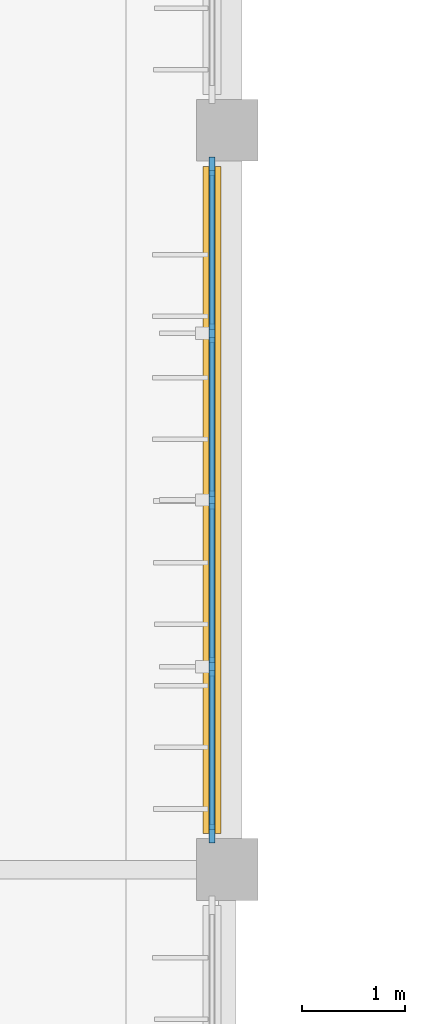
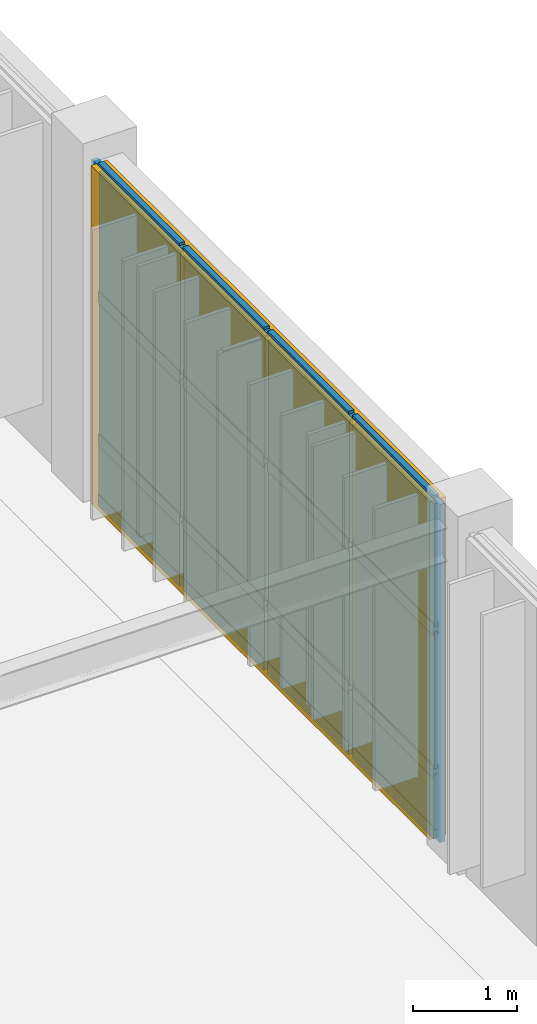
# One storey, part 68 of 104: 21 members, 12 plates, 1 curtain wall.
"""IFC4 building model written with IfcOpenShell, lengths in metres."""

import ifcopenshell
import ifcopenshell.guid

model = None  # the IFC model being written
_history = None  # IfcOwnerHistory: only IFC2X3 demands one
_inside = {}  # id of a spatial element -> (the spatial element, [elements in it])
_under = {}  # id of a project, library or spatial element -> (it, [spatial elements below it])
_declared = {}  # id of a project -> (the project, [libraries it declares])
_typed = {}  # id of a type object -> (the type object, [elements of that type])
_made_of = {}  # id of a material, layer set ... -> (it, [elements and type objects made of it])


def new_model(schema):
    """Start an empty IFC model of exactly this schema.

    Asked for "IFC4X3", IfcOpenShell would pick the latest addendum, in which some entities
    have other attributes; the version numbers below select the first issue.
    IFC2X3 requires an IfcOwnerHistory on every rooted entity: one is made here for all.
    """
    global model, _history
    if schema == "IFC4X3":
        model = ifcopenshell.file(schema_version=(4, 3, 0, 0))
    else:
        model = ifcopenshell.file(schema=schema)
    _inside.clear()
    _under.clear()
    _declared.clear()
    _typed.clear()
    _made_of.clear()
    _history = None
    if model.schema == "IFC2X3":
        org = make("IfcOrganization", Name="unknown")
        user = make(
            "IfcPersonAndOrganization",
            ThePerson=make("IfcPerson", FamilyName="unknown"),
            TheOrganization=org,
        )
        app = make(
            "IfcApplication",
            ApplicationDeveloper=org,
            Version="unknown",
            ApplicationFullName="unknown",
            ApplicationIdentifier="unknown",
        )
        _history = make(
            "IfcOwnerHistory",
            OwningUser=user,
            OwningApplication=app,
            ChangeAction="ADDED",
            CreationDate=0,
        )
    return model


def make(cls, **values):
    """One entity of the class cls with the attributes given. An attribute that is None is left unset."""
    return model.create_entity(
        cls, **{name: value for name, value in values.items() if value is not None}
    )


def rooted(cls, **values):
    """An entity with a GlobalId (a new one), such as an element, a storey or a relation."""
    return make(cls, GlobalId=ifcopenshell.guid.new(), OwnerHistory=_history, **values)


def si_unit(unit_type, name, prefix=None):
    """IfcSIUnit, for example si_unit("LENGTHUNIT", "METRE", prefix="MILLI")."""
    return make("IfcSIUnit", UnitType=unit_type, Prefix=prefix, Name=name)


def assignment(units):
    """IfcUnitAssignment: the units of a project."""
    return None if units is None else make("IfcUnitAssignment", Units=units)


def point(xyz):
    """IfcCartesianPoint."""
    return None if xyz is None else make("IfcCartesianPoint", Coordinates=xyz)


def direction(xyz):
    """IfcDirection."""
    return None if xyz is None else make("IfcDirection", DirectionRatios=xyz)


def frame(location, z_axis=None, x_axis=None):
    """IfcAxis2Placement3D, a coordinate frame: its origin and axes. An axis left out is left unset."""
    return make(
        "IfcAxis2Placement3D",
        Location=point(location),
        Axis=direction(z_axis),
        RefDirection=direction(x_axis),
    )


def frame_2d(location, x_axis=None):
    """IfcAxis2Placement2D, a coordinate frame in the plane: its origin and x axis."""
    return make(
        "IfcAxis2Placement2D", Location=point(location), RefDirection=direction(x_axis)
    )


def origin():
    """The frame at (0, 0, 0) with its axes left unset."""
    return frame((0.0, 0.0, 0.0))


def origin_2d():
    """The frame at (0, 0) in the plane with its x axis left unset."""
    return frame_2d((0.0, 0.0))


def place(relative_to, where):
    """IfcLocalPlacement: puts the frame where relative to a parent placement (None: the world)."""
    return make(
        "IfcLocalPlacement", PlacementRelTo=relative_to, RelativePlacement=where
    )


def context(
    kind, dimensions, precision=None, world=None, true_north=None, identifier=None
):
    """IfcGeometricRepresentationContext, for example the 3D "Model" context."""
    return make(
        "IfcGeometricRepresentationContext",
        ContextIdentifier=identifier,
        ContextType=kind,
        CoordinateSpaceDimension=dimensions,
        Precision=precision,
        WorldCoordinateSystem=world,
        TrueNorth=true_north,
    )


def subcontext(parent, identifier, kind, view, scale=None):
    """IfcGeometricRepresentationSubContext, for example "Body" below "Model"."""
    return make(
        "IfcGeometricRepresentationSubContext",
        ContextIdentifier=identifier,
        ContextType=kind,
        ParentContext=parent,
        TargetScale=scale,
        TargetView=view,
    )


def project(units=None, contexts=None):
    """IfcProject with its units and contexts."""
    return rooted(
        "IfcProject",
        Name="project",
        RepresentationContexts=contexts,
        UnitsInContext=assignment(units),
    )


def spatial(cls, under=None, at=None, **own):
    """A site, building, storey or space (cls), placed at a placement, below another one or the project."""
    s = rooted(cls, ObjectPlacement=at, **own)
    if under is not None:
        _under.setdefault(under.id(), (under, []))[1].append(s)
    return s


def profile(cls, at=None, kind="AREA", **sizes):
    """A parametric profile (cls). Its sizes go by their IFC names, for example OverallWidth=200.0."""
    return make(cls, ProfileType=kind, Position=at, **sizes)


def rectangle(**sizes):
    """IfcRectangleProfileDef."""
    return profile("IfcRectangleProfileDef", **sizes)


def extrude(swept, where, along, depth):
    """IfcExtrudedAreaSolid: the profile swept, set in the frame where, extruded along a direction by depth."""
    return make(
        "IfcExtrudedAreaSolid",
        SweptArea=swept,
        Position=where,
        ExtrudedDirection=direction(along),
        Depth=depth,
    )


def shape(context_of_items, identifier, shape_type, items):
    """IfcShapeRepresentation: the items that make up one representation, for example the "Body"."""
    return make(
        "IfcShapeRepresentation",
        ContextOfItems=context_of_items,
        RepresentationIdentifier=identifier,
        RepresentationType=shape_type,
        Items=items,
    )


def material(Name=None, Category=None):
    """IfcMaterial."""
    return make("IfcMaterial", Name=Name, Category=Category)


def layer(
    of_material, thickness, ventilated=None, Name=None, Category=None, Priority=None
):
    """IfcMaterialLayer: one layer of a wall or slab, of a material (None: an air gap)."""
    return make(
        "IfcMaterialLayer",
        Material=of_material,
        LayerThickness=thickness,
        IsVentilated=ventilated,
        Name=Name,
        Category=Category,
        Priority=Priority,
    )


def layer_set(layers, Name=None):
    """IfcMaterialLayerSet."""
    return make("IfcMaterialLayerSet", MaterialLayers=layers, LayerSetName=Name)


def material_profile(
    of_material, cross_section, Name=None, Category=None, Priority=None
):
    """IfcMaterialProfile: a cross section and its material."""
    return make(
        "IfcMaterialProfile",
        Name=Name,
        Material=of_material,
        Profile=cross_section,
        Priority=Priority,
        Category=Category,
    )


def profile_set(profiles, Name=None, composite=None):
    """IfcMaterialProfileSet."""
    return make(
        "IfcMaterialProfileSet",
        Name=Name,
        MaterialProfiles=profiles,
        CompositeProfile=composite,
    )


def made_of(thing, what):
    """Note that an element or type object is made of a material, layer set ...; save() writes the relation."""
    if what is not None:
        _made_of.setdefault(what.id(), (what, []))[1].append(thing)
    return thing


def type_object(cls, material=None, **own):
    """A type object (cls), such as IfcWallType, which elements share."""
    return made_of(rooted(cls, **own), material)


def element(
    cls,
    number,
    at=None,
    inside=None,
    cuts=None,
    type_object=None,
    material=None,
    context=None,
    identifier="Body",
    shape_type=None,
    held_by="IfcProductDefinitionShape",
    body=None,
    shapes=None,
    **own,
):
    """One element of the class cls, such as IfcWall. Its Tag is "e" and its number.

    at: its placement. inside: the storey or other place that contains it. cuts: it is an
    opening in that element (IfcRelVoidsElement). A single representation is given by context,
    identifier, shape_type and body (its items); several are given by shapes. held_by: the class
    of the entity that holds the representations. save() writes the other relations.
    """
    e = rooted(cls, Tag="e%d" % number, ObjectPlacement=at, **own)
    if body is not None:
        shapes = [shape(context, identifier, shape_type, body)]
    if shapes is not None:
        e.Representation = make(held_by, Representations=shapes)
    if inside is not None:
        _inside.setdefault(inside.id(), (inside, []))[1].append(e)
    if cuts is not None:
        rooted(
            "IfcRelVoidsElement", RelatingBuildingElement=cuts, RelatedOpeningElement=e
        )
    if type_object is not None:
        _typed.setdefault(type_object.id(), (type_object, []))[1].append(e)
    return made_of(e, material)


def aggregate(whole, parts):
    """IfcRelAggregates: a whole, such as a stair, and the parts it consists of."""
    return rooted("IfcRelAggregates", RelatingObject=whole, RelatedObjects=parts)


def save(model, path):
    """Write the relations noted so far, then the file.

    IfcRelAggregates (storeys below a building ...), IfcRelContainedInSpatialStructure (elements
    in a storey), IfcRelDefinesByType, IfcRelAssociatesMaterial and IfcRelDeclares: one each for
    every whole, place, type object, material and project.
    """
    for whole, parts in _under.values():
        aggregate(whole, parts)
    for where, things in _inside.values():
        rooted(
            "IfcRelContainedInSpatialStructure",
            RelatedElements=things,
            RelatingStructure=where,
        )
    for kind, things in _typed.values():
        rooted("IfcRelDefinesByType", RelatedObjects=things, RelatingType=kind)
    for what, things in _made_of.values():
        rooted("IfcRelAssociatesMaterial", RelatedObjects=things, RelatingMaterial=what)
    for by, libraries in _declared.values():
        rooted("IfcRelDeclares", RelatingContext=by, RelatedDefinitions=libraries)
    model.write(path)


model = new_model("IFC4")

# Units and contexts
model_context = context("Model", 3, precision=1e-05, world=origin(), true_north=direction((0.0, 1.0)))
body_context = subcontext(model_context, "Body", "Model", "MODEL_VIEW")
ifc_project = project(units=[si_unit("LENGTHUNIT", "METRE"), si_unit("AREAUNIT", "SQUARE_METRE"), si_unit("VOLUMEUNIT", "CUBIC_METRE"), si_unit("PLANEANGLEUNIT", "RADIAN"), si_unit("MASSUNIT", "GRAM", prefix="KILO")], contexts=[model_context])

# Member
ifc_material_1 = material(Name="Anodised Bronze Aluminium 6063-T6", Category="aluminium")
ifc_material_profile_1 = material_profile(ifc_material_1, rectangle(XDim=0.06005859375, YDim=0.179931640625, at=origin_2d()), Name="ALU MULLION 60x180")
ifc_profile_set_1 = profile_set([ifc_material_profile_1], Name="Anodised Bronze Aluminium 6063-T6")
member_type_1 = type_object("IfcMemberType", Name="Curtain-Wall Primary Mullion 60x180", PredefinedType="MULLION", material=ifc_profile_set_1)
site_placement = place(None, origin())
building_placement = place(site_placement, origin())
storey_placement = place(building_placement, frame((0.0, 0.0, 9.0)))
member_1_placement = place(storey_placement, frame((27.449951171875, 52.14990234375, 0.0), z_axis=(0.0, 0.0, 1.0), x_axis=(1.0, 0.0, 0.0)))
member_1 = element("IfcMember", 1, at=member_1_placement, type_object=member_type_1, Name="Mullion CWM-01 CW-V6-E1-L02-B2-M01", PredefinedType="MULLION", context=body_context, shape_type="SweptSolid", body=[
    extrude(rectangle(XDim=0.06005859375, YDim=0.179931640625, at=origin_2d()), origin(), (0.0, 0.0, 1.0), 3.9599609375),
])

member_2_placement = place(storey_placement, frame((27.449951171875, 53.77490234375, 0.0), z_axis=(0.0, 0.0, 1.0), x_axis=(1.0, 0.0, 0.0)))
member_2 = element("IfcMember", 2, at=member_2_placement, type_object=member_type_1, Name="Mullion CWM-01 CW-V6-E1-L02-B2-M02", PredefinedType="MULLION", context=body_context, shape_type="SweptSolid", body=[
    extrude(rectangle(XDim=0.06005859375, YDim=0.179931640625, at=origin_2d()), origin(), (0.0, 0.0, 1.0), 3.9599609375),
])

member_3_placement = place(storey_placement, frame((27.449951171875, 55.39990234375, 0.0), z_axis=(0.0, 0.0, 1.0), x_axis=(1.0, 0.0, 0.0)))
member_3 = element("IfcMember", 3, at=member_3_placement, type_object=member_type_1, Name="Mullion CWM-01 CW-V6-E1-L02-B2-M03", PredefinedType="MULLION", context=body_context, shape_type="SweptSolid", body=[
    extrude(rectangle(XDim=0.06005859375, YDim=0.179931640625, at=origin_2d()), origin(), (0.0, 0.0, 1.0), 3.9599609375),
])

member_4_placement = place(storey_placement, frame((27.449951171875, 57.02490234375, 0.0), z_axis=(0.0, 0.0, 1.0), x_axis=(1.0, 0.0, 0.0)))
member_4 = element("IfcMember", 4, at=member_4_placement, type_object=member_type_1, Name="Mullion CWM-01 CW-V6-E1-L02-B2-M04", PredefinedType="MULLION", context=body_context, shape_type="SweptSolid", body=[
    extrude(rectangle(XDim=0.06005859375, YDim=0.179931640625, at=origin_2d()), origin(), (0.0, 0.0, 1.0), 3.9599609375),
])

member_5_placement = place(storey_placement, frame((27.449951171875, 58.64990234375, 0.0), z_axis=(0.0, 0.0, 1.0), x_axis=(1.0, 0.0, 0.0)))
member_5 = element("IfcMember", 5, at=member_5_placement, type_object=member_type_1, Name="Mullion CWM-01 CW-V6-E1-L02-B2-M05", PredefinedType="MULLION", context=body_context, shape_type="SweptSolid", body=[
    extrude(rectangle(XDim=0.06005859375, YDim=0.179931640625, at=origin_2d()), origin(), (0.0, 0.0, 1.0), 3.9599609375),
])

ifc_material_profile_2 = material_profile(ifc_material_1, rectangle(XDim=0.06005859375, YDim=0.139892578125, at=origin_2d()), Name="ALU TRANSOM 60x140")
ifc_profile_set_2 = profile_set([ifc_material_profile_2], Name="Anodised Bronze Aluminium 6063-T6")
member_type_2 = type_object("IfcMemberType", Name="Curtain-Wall Transom 60x140", PredefinedType="USERDEFINED", material=ifc_profile_set_2)
member_6_placement = place(storey_placement, frame((27.449951171875, 52.18505859375, 0.0400390625), z_axis=(0.0, 1.0, 0.0), x_axis=(-1.0, 0.0, 0.0)))
member_6 = element("IfcMember", 6, at=member_6_placement, type_object=member_type_2, Name="Transom CWT-01 CW-V6-E1-L02-B2-T01.1", ObjectType="TRANSOM", PredefinedType="USERDEFINED", context=body_context, shape_type="SweptSolid", body=[
    extrude(rectangle(XDim=0.06005859375, YDim=0.139892578125, at=origin_2d()), origin(), (0.0, 0.0, 1.0), 1.554931640625),
])

member_7_placement = place(storey_placement, frame((27.449951171875, 52.18505859375, 0.75), z_axis=(0.0, 1.0, 0.0), x_axis=(-1.0, 0.0, 0.0)))
member_7 = element("IfcMember", 7, at=member_7_placement, type_object=member_type_2, Name="Transom CWT-01 CW-V6-E1-L02-B2-T01.2", ObjectType="TRANSOM", PredefinedType="USERDEFINED", context=body_context, shape_type="SweptSolid", body=[
    extrude(rectangle(XDim=0.06005859375, YDim=0.139892578125, at=origin_2d()), origin(), (0.0, 0.0, 1.0), 1.554931640625),
])

member_8_placement = place(storey_placement, frame((27.449951171875, 52.18505859375, 2.419189453125), z_axis=(0.0, 1.0, 0.0), x_axis=(-1.0, 0.0, 0.0)))
member_8 = element("IfcMember", 8, at=member_8_placement, type_object=member_type_2, Name="Transom CWT-01 CW-V6-E1-L02-B2-T01.3", ObjectType="TRANSOM", PredefinedType="USERDEFINED", context=body_context, shape_type="SweptSolid", body=[
    extrude(rectangle(XDim=0.06005859375, YDim=0.139892578125, at=origin_2d()), origin(), (0.0, 0.0, 1.0), 1.554931640625),
])

member_9_placement = place(storey_placement, frame((27.449951171875, 52.18505859375, 3.919921875), z_axis=(0.0, 1.0, 0.0), x_axis=(-1.0, 0.0, 0.0)))
member_9 = element("IfcMember", 9, at=member_9_placement, type_object=member_type_2, Name="Transom CWT-01 CW-V6-E1-L02-B2-T01.4", ObjectType="TRANSOM", PredefinedType="USERDEFINED", context=body_context, shape_type="SweptSolid", body=[
    extrude(rectangle(XDim=0.06005859375, YDim=0.139892578125, at=origin_2d()), origin(), (0.0, 0.0, 1.0), 1.554931640625),
])

member_10_placement = place(storey_placement, frame((27.449951171875, 53.81005859375, 0.0400390625), z_axis=(0.0, 1.0, 0.0), x_axis=(-1.0, 0.0, 0.0)))
member_10 = element("IfcMember", 10, at=member_10_placement, type_object=member_type_2, Name="Transom CWT-01 CW-V6-E1-L02-B2-T02.1", ObjectType="TRANSOM", PredefinedType="USERDEFINED", context=body_context, shape_type="SweptSolid", body=[
    extrude(rectangle(XDim=0.06005859375, YDim=0.139892578125, at=origin_2d()), origin(), (0.0, 0.0, 1.0), 1.554931640625),
])

member_11_placement = place(storey_placement, frame((27.449951171875, 53.81005859375, 0.75), z_axis=(0.0, 1.0, 0.0), x_axis=(-1.0, 0.0, 0.0)))
member_11 = element("IfcMember", 11, at=member_11_placement, type_object=member_type_2, Name="Transom CWT-01 CW-V6-E1-L02-B2-T02.2", ObjectType="TRANSOM", PredefinedType="USERDEFINED", context=body_context, shape_type="SweptSolid", body=[
    extrude(rectangle(XDim=0.06005859375, YDim=0.139892578125, at=origin_2d()), origin(), (0.0, 0.0, 1.0), 1.554931640625),
])

member_12_placement = place(storey_placement, frame((27.449951171875, 53.81005859375, 2.419189453125), z_axis=(0.0, 1.0, 0.0), x_axis=(-1.0, 0.0, 0.0)))
member_12 = element("IfcMember", 12, at=member_12_placement, type_object=member_type_2, Name="Transom CWT-01 CW-V6-E1-L02-B2-T02.3", ObjectType="TRANSOM", PredefinedType="USERDEFINED", context=body_context, shape_type="SweptSolid", body=[
    extrude(rectangle(XDim=0.06005859375, YDim=0.139892578125, at=origin_2d()), origin(), (0.0, 0.0, 1.0), 1.554931640625),
])

member_13_placement = place(storey_placement, frame((27.449951171875, 53.81005859375, 3.919921875), z_axis=(0.0, 1.0, 0.0), x_axis=(-1.0, 0.0, 0.0)))
member_13 = element("IfcMember", 13, at=member_13_placement, type_object=member_type_2, Name="Transom CWT-01 CW-V6-E1-L02-B2-T02.4", ObjectType="TRANSOM", PredefinedType="USERDEFINED", context=body_context, shape_type="SweptSolid", body=[
    extrude(rectangle(XDim=0.06005859375, YDim=0.139892578125, at=origin_2d()), origin(), (0.0, 0.0, 1.0), 1.554931640625),
])

member_14_placement = place(storey_placement, frame((27.449951171875, 55.43505859375, 0.0400390625), z_axis=(0.0, 1.0, 0.0), x_axis=(-1.0, 0.0, 0.0)))
member_14 = element("IfcMember", 14, at=member_14_placement, type_object=member_type_2, Name="Transom CWT-01 CW-V6-E1-L02-B2-T03.1", ObjectType="TRANSOM", PredefinedType="USERDEFINED", context=body_context, shape_type="SweptSolid", body=[
    extrude(rectangle(XDim=0.06005859375, YDim=0.139892578125, at=origin_2d()), origin(), (0.0, 0.0, 1.0), 1.554931640625),
])

member_15_placement = place(storey_placement, frame((27.449951171875, 55.43505859375, 0.75), z_axis=(0.0, 1.0, 0.0), x_axis=(-1.0, 0.0, 0.0)))
member_15 = element("IfcMember", 15, at=member_15_placement, type_object=member_type_2, Name="Transom CWT-01 CW-V6-E1-L02-B2-T03.2", ObjectType="TRANSOM", PredefinedType="USERDEFINED", context=body_context, shape_type="SweptSolid", body=[
    extrude(rectangle(XDim=0.06005859375, YDim=0.139892578125, at=origin_2d()), origin(), (0.0, 0.0, 1.0), 1.554931640625),
])

member_16_placement = place(storey_placement, frame((27.449951171875, 55.43505859375, 2.419189453125), z_axis=(0.0, 1.0, 0.0), x_axis=(-1.0, 0.0, 0.0)))
member_16 = element("IfcMember", 16, at=member_16_placement, type_object=member_type_2, Name="Transom CWT-01 CW-V6-E1-L02-B2-T03.3", ObjectType="TRANSOM", PredefinedType="USERDEFINED", context=body_context, shape_type="SweptSolid", body=[
    extrude(rectangle(XDim=0.06005859375, YDim=0.139892578125, at=origin_2d()), origin(), (0.0, 0.0, 1.0), 1.554931640625),
])

member_17_placement = place(storey_placement, frame((27.449951171875, 55.43505859375, 3.919921875), z_axis=(0.0, 1.0, 0.0), x_axis=(-1.0, 0.0, 0.0)))
member_17 = element("IfcMember", 17, at=member_17_placement, type_object=member_type_2, Name="Transom CWT-01 CW-V6-E1-L02-B2-T03.4", ObjectType="TRANSOM", PredefinedType="USERDEFINED", context=body_context, shape_type="SweptSolid", body=[
    extrude(rectangle(XDim=0.06005859375, YDim=0.139892578125, at=origin_2d()), origin(), (0.0, 0.0, 1.0), 1.554931640625),
])

member_18_placement = place(storey_placement, frame((27.449951171875, 57.06005859375, 0.0400390625), z_axis=(0.0, 1.0, 0.0), x_axis=(-1.0, 0.0, 0.0)))
member_18 = element("IfcMember", 18, at=member_18_placement, type_object=member_type_2, Name="Transom CWT-01 CW-V6-E1-L02-B2-T04.1", ObjectType="TRANSOM", PredefinedType="USERDEFINED", context=body_context, shape_type="SweptSolid", body=[
    extrude(rectangle(XDim=0.06005859375, YDim=0.139892578125, at=origin_2d()), origin(), (0.0, 0.0, 1.0), 1.554931640625),
])

member_19_placement = place(storey_placement, frame((27.449951171875, 57.06005859375, 0.75), z_axis=(0.0, 1.0, 0.0), x_axis=(-1.0, 0.0, 0.0)))
member_19 = element("IfcMember", 19, at=member_19_placement, type_object=member_type_2, Name="Transom CWT-01 CW-V6-E1-L02-B2-T04.2", ObjectType="TRANSOM", PredefinedType="USERDEFINED", context=body_context, shape_type="SweptSolid", body=[
    extrude(rectangle(XDim=0.06005859375, YDim=0.139892578125, at=origin_2d()), origin(), (0.0, 0.0, 1.0), 1.554931640625),
])

member_20_placement = place(storey_placement, frame((27.449951171875, 57.06005859375, 2.419189453125), z_axis=(0.0, 1.0, 0.0), x_axis=(-1.0, 0.0, 0.0)))
member_20 = element("IfcMember", 20, at=member_20_placement, type_object=member_type_2, Name="Transom CWT-01 CW-V6-E1-L02-B2-T04.3", ObjectType="TRANSOM", PredefinedType="USERDEFINED", context=body_context, shape_type="SweptSolid", body=[
    extrude(rectangle(XDim=0.06005859375, YDim=0.139892578125, at=origin_2d()), origin(), (0.0, 0.0, 1.0), 1.554931640625),
])

member_21_placement = place(storey_placement, frame((27.449951171875, 57.06005859375, 3.919921875), z_axis=(0.0, 1.0, 0.0), x_axis=(-1.0, 0.0, 0.0)))
member_21 = element("IfcMember", 21, at=member_21_placement, type_object=member_type_2, Name="Transom CWT-01 CW-V6-E1-L02-B2-T04.4", ObjectType="TRANSOM", PredefinedType="USERDEFINED", context=body_context, shape_type="SweptSolid", body=[
    extrude(rectangle(XDim=0.06005859375, YDim=0.139892578125, at=origin_2d()), origin(), (0.0, 0.0, 1.0), 1.554931640625),
])

# Plate
ifc_material_2 = material(Name="Insulated Bronze Aluminium Spandrel Panel", Category="aluminium")
ifc_layer_1 = layer(ifc_material_2, 0.050048828125, Name="Insulated Bronze Aluminium Spandrel Panel")
ifc_layer_set_1 = layer_set([ifc_layer_1], Name="Insulated Bronze Aluminium Spandrel Panel")
plate_type_1 = type_object("IfcPlateType", Name="Insulated Anodised Aluminium Spandrel Cassette 50", PredefinedType="CURTAIN_PANEL", material=ifc_layer_set_1)
plate_1_placement = place(storey_placement, frame((27.449951171875, 52.96240234375, 0.070068359375), z_axis=(0.0, 0.0, 1.0), x_axis=(0.0, 1.0, 0.0)))
plate_1 = element("IfcPlate", 22, at=plate_1_placement, type_object=plate_type_1, Name="Curtain Panel CWP-03 CW-V6-E1-L02-B2-P01.1", PredefinedType="CURTAIN_PANEL", context=body_context, shape_type="SweptSolid", body=[
    extrude(rectangle(XDim=1.554931640625, YDim=0.050048828125, at=origin_2d()), origin(), (0.0, 0.0, 1.0), 0.64990234375),
])

plate_2_placement = place(storey_placement, frame((27.449951171875, 54.58740234375, 0.070068359375), z_axis=(0.0, 0.0, 1.0), x_axis=(0.0, 1.0, 0.0)))
plate_2 = element("IfcPlate", 23, at=plate_2_placement, type_object=plate_type_1, Name="Curtain Panel CWP-03 CW-V6-E1-L02-B2-P02.1", PredefinedType="CURTAIN_PANEL", context=body_context, shape_type="SweptSolid", body=[
    extrude(rectangle(XDim=1.554931640625, YDim=0.050048828125, at=origin_2d()), origin(), (0.0, 0.0, 1.0), 0.64990234375),
])

plate_3_placement = place(storey_placement, frame((27.449951171875, 56.21240234375, 0.070068359375), z_axis=(0.0, 0.0, 1.0), x_axis=(0.0, 1.0, 0.0)))
plate_3 = element("IfcPlate", 24, at=plate_3_placement, type_object=plate_type_1, Name="Curtain Panel CWP-03 CW-V6-E1-L02-B2-P03.1", PredefinedType="CURTAIN_PANEL", context=body_context, shape_type="SweptSolid", body=[
    extrude(rectangle(XDim=1.554931640625, YDim=0.050048828125, at=origin_2d()), origin(), (0.0, 0.0, 1.0), 0.64990234375),
])

plate_4_placement = place(storey_placement, frame((27.449951171875, 57.83740234375, 0.070068359375), z_axis=(0.0, 0.0, 1.0), x_axis=(0.0, 1.0, 0.0)))
plate_4 = element("IfcPlate", 25, at=plate_4_placement, type_object=plate_type_1, Name="Curtain Panel CWP-03 CW-V6-E1-L02-B2-P04.1", PredefinedType="CURTAIN_PANEL", context=body_context, shape_type="SweptSolid", body=[
    extrude(rectangle(XDim=1.554931640625, YDim=0.050048828125, at=origin_2d()), origin(), (0.0, 0.0, 1.0), 0.64990234375),
])

ifc_material_3 = material(Name="Solar-Control Tempered Double Glazing", Category="glass")
ifc_layer_2 = layer(ifc_material_3, 0.0380859375, Name="Solar-Control Tempered Double Glazing")
ifc_layer_set_2 = layer_set([ifc_layer_2], Name="Solar-Control Tempered Double Glazing")
plate_type_2 = type_object("IfcPlateType", Name="Solar-Control Vision Glazing Unit 38", PredefinedType="CURTAIN_PANEL", material=ifc_layer_set_2)
plate_5_placement = place(storey_placement, frame((27.449951171875, 52.96240234375, 0.7802734375), z_axis=(0.0, 0.0, 1.0), x_axis=(0.0, 1.0, 0.0)))
plate_5 = element("IfcPlate", 26, at=plate_5_placement, type_object=plate_type_2, Name="Curtain Panel CWP-02 CW-V6-E1-L02-B2-P01.2", PredefinedType="CURTAIN_PANEL", context=body_context, shape_type="SweptSolid", body=[
    extrude(rectangle(XDim=1.554931640625, YDim=0.0380859375, at=origin_2d()), origin(), (0.0, 0.0, 1.0), 1.609130859375),
])

plate_6_placement = place(storey_placement, frame((27.449951171875, 52.96240234375, 2.44921875), z_axis=(0.0, 0.0, 1.0), x_axis=(0.0, 1.0, 0.0)))
plate_6 = element("IfcPlate", 27, at=plate_6_placement, type_object=plate_type_2, Name="Curtain Panel CWP-02 CW-V6-E1-L02-B2-P01.3", PredefinedType="CURTAIN_PANEL", context=body_context, shape_type="SweptSolid", body=[
    extrude(rectangle(XDim=1.554931640625, YDim=0.0380859375, at=origin_2d()), origin(), (0.0, 0.0, 1.0), 1.44091796875),
])

plate_7_placement = place(storey_placement, frame((27.449951171875, 54.58740234375, 0.7802734375), z_axis=(0.0, 0.0, 1.0), x_axis=(0.0, 1.0, 0.0)))
plate_7 = element("IfcPlate", 28, at=plate_7_placement, type_object=plate_type_2, Name="Curtain Panel CWP-02 CW-V6-E1-L02-B2-P02.2", PredefinedType="CURTAIN_PANEL", context=body_context, shape_type="SweptSolid", body=[
    extrude(rectangle(XDim=1.554931640625, YDim=0.0380859375, at=origin_2d()), origin(), (0.0, 0.0, 1.0), 1.609130859375),
])

plate_8_placement = place(storey_placement, frame((27.449951171875, 54.58740234375, 2.44921875), z_axis=(0.0, 0.0, 1.0), x_axis=(0.0, 1.0, 0.0)))
plate_8 = element("IfcPlate", 29, at=plate_8_placement, type_object=plate_type_2, Name="Curtain Panel CWP-02 CW-V6-E1-L02-B2-P02.3", PredefinedType="CURTAIN_PANEL", context=body_context, shape_type="SweptSolid", body=[
    extrude(rectangle(XDim=1.554931640625, YDim=0.0380859375, at=origin_2d()), origin(), (0.0, 0.0, 1.0), 1.44091796875),
])

plate_9_placement = place(storey_placement, frame((27.449951171875, 56.21240234375, 0.7802734375), z_axis=(0.0, 0.0, 1.0), x_axis=(0.0, 1.0, 0.0)))
plate_9 = element("IfcPlate", 30, at=plate_9_placement, type_object=plate_type_2, Name="Curtain Panel CWP-02 CW-V6-E1-L02-B2-P03.2", PredefinedType="CURTAIN_PANEL", context=body_context, shape_type="SweptSolid", body=[
    extrude(rectangle(XDim=1.554931640625, YDim=0.0380859375, at=origin_2d()), origin(), (0.0, 0.0, 1.0), 1.609130859375),
])

plate_10_placement = place(storey_placement, frame((27.449951171875, 56.21240234375, 2.44921875), z_axis=(0.0, 0.0, 1.0), x_axis=(0.0, 1.0, 0.0)))
plate_10 = element("IfcPlate", 31, at=plate_10_placement, type_object=plate_type_2, Name="Curtain Panel CWP-02 CW-V6-E1-L02-B2-P03.3", PredefinedType="CURTAIN_PANEL", context=body_context, shape_type="SweptSolid", body=[
    extrude(rectangle(XDim=1.554931640625, YDim=0.0380859375, at=origin_2d()), origin(), (0.0, 0.0, 1.0), 1.44091796875),
])

plate_11_placement = place(storey_placement, frame((27.449951171875, 57.83740234375, 0.7802734375), z_axis=(0.0, 0.0, 1.0), x_axis=(0.0, 1.0, 0.0)))
plate_11 = element("IfcPlate", 32, at=plate_11_placement, type_object=plate_type_2, Name="Curtain Panel CWP-02 CW-V6-E1-L02-B2-P04.2", PredefinedType="CURTAIN_PANEL", context=body_context, shape_type="SweptSolid", body=[
    extrude(rectangle(XDim=1.554931640625, YDim=0.0380859375, at=origin_2d()), origin(), (0.0, 0.0, 1.0), 1.609130859375),
])

plate_12_placement = place(storey_placement, frame((27.449951171875, 57.83740234375, 2.44921875), z_axis=(0.0, 0.0, 1.0), x_axis=(0.0, 1.0, 0.0)))
plate_12 = element("IfcPlate", 33, at=plate_12_placement, type_object=plate_type_2, Name="Curtain Panel CWP-02 CW-V6-E1-L02-B2-P04.3", PredefinedType="CURTAIN_PANEL", context=body_context, shape_type="SweptSolid", body=[
    extrude(rectangle(XDim=1.554931640625, YDim=0.0380859375, at=origin_2d()), origin(), (0.0, 0.0, 1.0), 1.44091796875),
])

# Site, building, storey
site = spatial("IfcSite", under=ifc_project, at=site_placement, CompositionType="ELEMENT")
building = spatial("IfcBuilding", under=site, at=building_placement, Name="Tazoul Stagehouse", CompositionType="ELEMENT")
storey = spatial("IfcBuildingStorey", under=building, at=storey_placement, Name="L02", CompositionType="ELEMENT", Elevation=9.0)

# Curtain wall
curtain_wall_type = type_object("IfcCurtainWallType", Name="Foyer Clear Solar-Control Curtain Wall", PredefinedType="NOTDEFINED", material=ifc_material_1)
curtain_wall_placement = place(storey_placement, frame((27.449951171875, 52.14990234375, 0.0), z_axis=(0.0, 0.0, 1.0), x_axis=(0.0, 1.0, 0.0)))
curtain_wall = element("IfcCurtainWall", 34, at=curtain_wall_placement, inside=storey, type_object=curtain_wall_type, Name="L02 Curtain Wall CW-02 (CW-V6-E1-L02-B2)", PredefinedType="NOTDEFINED", context=body_context, shape_type="SweptSolid", body=[
    extrude(rectangle(XDim=6.5, YDim=0.179931640625, at=frame_2d((3.25, 0.0))), origin(), (0.0, 0.0, 1.0), 3.9599609375),
])

aggregate(curtain_wall, [member_1, member_2, member_3, member_4, member_5, member_6, member_7, member_8, member_9, plate_1, plate_5, plate_6, member_10, member_11, member_12, member_13, plate_2, plate_7, plate_8, member_14, member_15, member_16, member_17, plate_3, plate_9, plate_10, member_18, member_19, member_20, member_21, plate_4, plate_11, plate_12])

save(model, "model.ifc")
